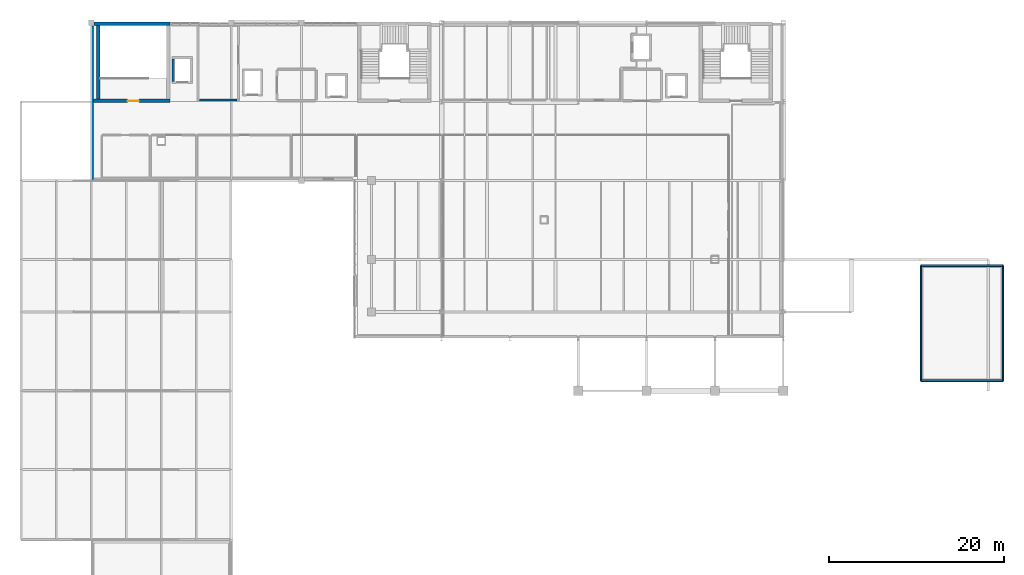
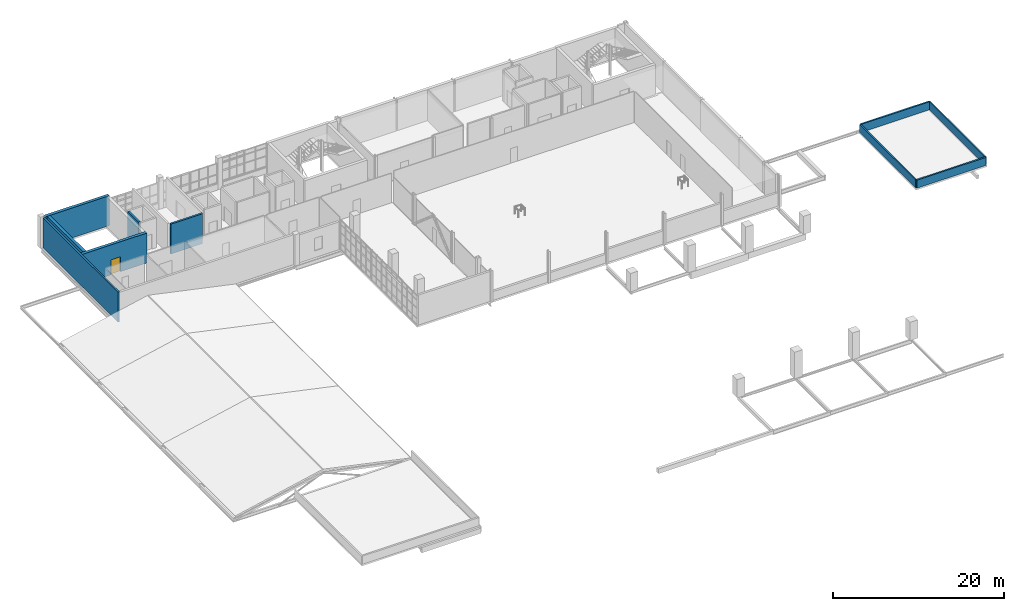
# One storey, part 33 of 38: 10 walls, 1 door, 1 opening.
"""IFC4 building model written with IfcOpenShell, lengths in metres."""

from ifc_helpers import new_model, si_unit, derived_unit, direction, frame, frame_2d, origin, place, context, subcontext, project, spatial, rectangle, extrude, material, layer, layer_set, type_object, element, fill, save


model = new_model("IFC4")

# Units and contexts
model_context = context("Model", 3, precision=1e-05, world=origin(), true_north=direction((0.0, 1.0)))
body_context = subcontext(model_context, "Body", "Model", "MODEL_VIEW")
ifc_project = project(units=[si_unit("LENGTHUNIT", "METRE"), si_unit("AREAUNIT", "SQUARE_METRE"), si_unit("VOLUMEUNIT", "CUBIC_METRE"), si_unit("PLANEANGLEUNIT", "RADIAN"), si_unit("MASSUNIT", "GRAM", prefix="KILO"), derived_unit("THERMALTRANSMITTANCEUNIT", [(si_unit("POWERUNIT", "WATT"), 1), (si_unit("LENGTHUNIT", "METRE"), -2), (si_unit("THERMODYNAMICTEMPERATUREUNIT", "KELVIN"), -1)])], contexts=[model_context])

# Site, building, storey
site_placement = place(None, origin())
site = spatial("IfcSite", under=ifc_project, at=site_placement, CompositionType="ELEMENT")
building_placement = place(site_placement, origin())
building = spatial("IfcBuilding", under=site, at=building_placement, Name="Nallur Shell Playhouse", CompositionType="ELEMENT")
storey_placement = place(building_placement, frame((0.0, 0.0, 24.300048828125)))
storey = spatial("IfcBuildingStorey", under=building, at=storey_placement, Name="L06", CompositionType="ELEMENT", Elevation=24.300048828125)

# Wall, opening, door
ifc_material_1 = material(Name="Concrete M45", Category="concrete")
ifc_layer_1 = layer(ifc_material_1, 0.39990234375)
ifc_layer_set_1 = layer_set([ifc_layer_1], Name="Concrete M45")
wall_type_1 = type_object("IfcWallType", Name="WL-CORE-400", PredefinedType="SHEAR", material=ifc_layer_set_1)
wall_1_placement = place(storey_placement, frame((24.263916015625, 74.10009765625, 0.0), z_axis=(0.0, 0.0, 1.0), x_axis=(1.0, 0.0, 0.0)))
wall_1 = element("IfcWall", 1, at=wall_1_placement, inside=storey, type_object=wall_type_1, Name="Joint Core JC-6 shear wall S (L06)", PredefinedType="SHEAR", context=body_context, shape_type="SweptSolid", body=[
    extrude(rectangle(XDim=8.736083984375, YDim=0.39990234375, at=frame_2d((4.3681640625, 0.0))), origin(), (0.0, 0.0, 1.0), 4.280029296875),
])
opening_placement = place(wall_1_placement, frame((3.885986328125, 0.0, 0.0)))
opening = element("IfcOpeningElement", 2, at=opening_placement, cuts=wall_1, Name="Opening FD-ST2", PredefinedType="OPENING", context=body_context, shape_type="SweptSolid", body=[
    extrude(rectangle(XDim=1.300048828125, YDim=2.14990234375, at=frame_2d((0.64990234375, 1.074951171875))), frame((0.0, 0.2099609375, 0.0), z_axis=(0.0, -1.0, 0.0), x_axis=(1.0, 0.0, 0.0)), (0.0, 0.0, 1.0), 0.419921875),
])
ifc_material_2 = material(Name="Galvanised Steel Fire-Rated Stair Door", Category="steel")
door_type = type_object("IfcDoorType", Name="DR-INT-STAIR-R", OperationType="SINGLE_SWING_RIGHT", PredefinedType="DOOR", material=ifc_material_2)
door_placement = place(opening_placement, origin())
door = element("IfcDoor", 3, at=door_placement, inside=storey, type_object=door_type, Name="Exit stair ST-06 fire door (L06)", OperationType="SINGLE_SWING_RIGHT", OverallHeight=2.14990234375, OverallWidth=1.300048828125, PredefinedType="DOOR", context=body_context, shape_type="SweptSolid", body=[
    extrude(rectangle(XDim=1.300048828125, YDim=2.14990234375, at=frame_2d((0.64990234375, 1.074951171875))), frame((0.0, 0.02490234375, 0.0), z_axis=(0.0, -1.0, 0.0), x_axis=(1.0, 0.0, 0.0)), (0.0, 0.0, 1.0), 0.050048828125),
])
fill(opening, door)

# Walls
wall_2_placement = place(storey_placement, frame((33.0, 82.89990234375, 0.0), z_axis=(0.0, 0.0, 1.0), x_axis=(-1.0, 0.0, 0.0)))
element("IfcWall", 4, at=wall_2_placement, inside=storey, type_object=wall_type_1, Name="Joint Core JC-6 shear wall N (L06)", PredefinedType="SHEAR", context=body_context, shape_type="SweptSolid", body=[
    extrude(rectangle(XDim=8.676025390625, YDim=0.39990234375, at=frame_2d((4.337890625, 0.0))), origin(), (0.0, 0.0, 1.0), 4.280029296875),
])
wall_3_placement = place(storey_placement, frame((24.800048828125, 82.68994140625, 0.0), z_axis=(0.0, 0.0, 1.0), x_axis=(0.0, -1.0, 0.0)))
element("IfcWall", 5, at=wall_3_placement, inside=storey, type_object=wall_type_1, Name="Joint Core JC-6 shear wall W (L06)", PredefinedType="SHEAR", context=body_context, shape_type="SweptSolid", body=[
    extrude(rectangle(XDim=8.3798828125, YDim=0.39990234375, at=frame_2d((4.18994140625, 0.0))), origin(), (0.0, 0.0, 1.0), 4.280029296875),
])
ifc_material_3 = material(Name="Precast concrete M40", Category="concrete")
ifc_layer_2 = layer(ifc_material_3, 0.239990234375)
ifc_layer_set_2 = layer_set([ifc_layer_2], Name="Precast concrete M40")
wall_type_2 = type_object("IfcWallType", Name="WL-EXT-CLAD240", PredefinedType="ELEMENTEDWALL", material=ifc_layer_set_2)
wall_4_placement = place(storey_placement, frame((24.139892578125, 65.1298828125, 0.0), z_axis=(0.0, 0.0, 1.0), x_axis=(0.0, 1.0, 0.0)))
element("IfcWall", 6, at=wall_4_placement, inside=storey, type_object=wall_type_2, Name="L06 exterior wall EW-L06-252", PredefinedType="ELEMENTEDWALL", context=body_context, shape_type="SweptSolid", body=[
    extrude(rectangle(XDim=17.537109375, YDim=0.239990234375, at=frame_2d((8.7685546875, 0.0))), origin(), (0.0, 0.0, 1.0), 4.280029296875),
])
ifc_material_4 = material(Name="Concrete M35", Category="concrete")
ifc_layer_3 = layer(ifc_material_4, 0.179931640625)
ifc_layer_set_3 = layer_set([ifc_layer_3], Name="Concrete M35")
wall_type_3 = type_object("IfcWallType", Name="WL-PARAPET-180", PredefinedType="PARAPET", material=ifc_layer_set_3)
for number, where, z_axis, x_axis, name in (
    (7, (128.090087890625, 55.27001953125, 0.0), (0.0, 0.0, 1.0), (0.0, -1.0, 0.0), "L06 concrete roof parapet PAR-039"),
    (8, (118.7099609375, 42.1298828125, 0.0), (0.0, 0.0, 1.0), (0.0, 1.0, 0.0), "L06 concrete roof parapet PAR-041"),
):
    element("IfcWall", number, at=place(storey_placement, frame(where, z_axis=z_axis, x_axis=x_axis)), inside=storey, type_object=wall_type_3, Name=name, PredefinedType="PARAPET", context=body_context, shape_type="SweptSolid", body=[
        extrude(rectangle(XDim=13.14013671875, YDim=0.179931640625, at=frame_2d((6.570068359375, 0.0))), origin(), (0.0, 0.0, 1.0), 1.14990234375),
    ])
ifc_layer_4 = layer(ifc_material_4, 0.219970703125)
ifc_layer_set_4 = layer_set([ifc_layer_4], Name="Concrete M35")
wall_type_4 = type_object("IfcWallType", Name="WL-PARAPET-220", PredefinedType="PARAPET", material=ifc_layer_set_4)
for number, where, z_axis, x_axis, name in (
    (9, (118.75, 55.27001953125, 0.0), (0.0, 0.0, 1.0), (1.0, 0.0, 0.0), "L06 concrete roof parapet PAR-038"),
    (10, (128.050048828125, 42.1298828125, 0.0), (0.0, 0.0, 1.0), (-1.0, 0.0, 0.0), "L06 concrete roof parapet PAR-040"),
):
    element("IfcWall", number, at=place(storey_placement, frame(where, z_axis=z_axis, x_axis=x_axis)), inside=storey, type_object=wall_type_4, Name=name, PredefinedType="PARAPET", context=body_context, shape_type="SweptSolid", body=[
        extrude(rectangle(XDim=9.300048828125, YDim=0.219970703125, at=frame_2d((4.64990234375, 0.0))), origin(), (0.0, 0.0, 1.0), 1.14990234375),
    ])
ifc_material_5 = material(Name="Concrete M30", Category="concrete")
ifc_layer_5 = layer(ifc_material_5, 0.25)
ifc_layer_set_5 = layer_set([ifc_layer_5], Name="Concrete M30")
wall_type_5 = type_object("IfcWallType", Name="WL-PART-AC250", PredefinedType="PARTITIONING", material=ifc_layer_set_5)
wall_5_placement = place(storey_placement, frame((40.655029296875, 74.199951171875, 0.0), z_axis=(0.0, 0.0, 1.0), x_axis=(-1.0, 0.0, 0.0)))
element("IfcWall", 11, at=wall_5_placement, inside=storey, type_object=wall_type_5, Name="Foley & Sound Recording Studio partition IW-L06-0404", PredefinedType="PARTITIONING", context=body_context, shape_type="SweptSolid", body=[
    extrude(rectangle(XDim=4.31005859375, YDim=0.25, at=frame_2d((2.155029296875, 0.0))), origin(), (0.0, 0.0, 1.0), 4.27001953125),
])
ifc_layer_6 = layer(ifc_material_1, 0.25)
ifc_layer_set_6 = layer_set([ifc_layer_6], Name="Concrete M45")
wall_type_6 = type_object("IfcWallType", Name="WL-SHAFT-250", PredefinedType="STANDARD", material=ifc_layer_set_6)
wall_6_placement = place(storey_placement, frame((33.375, 78.889892578125, 0.0), z_axis=(0.0, 0.0, 1.0), x_axis=(0.0, -1.0, 0.0)))
element("IfcWall", 12, at=wall_6_placement, inside=storey, type_object=wall_type_6, Name="Production Passenger Lift PL-6 shaft wall west (L06)", PredefinedType="STANDARD", context=body_context, shape_type="SweptSolid", body=[
    extrude(rectangle(XDim=2.579833984375, YDim=0.25, at=frame_2d((1.2900390625, 0.0))), origin(), (0.0, 0.0, 1.0), 4.27001953125),
])

save(model, "model.ifc")
